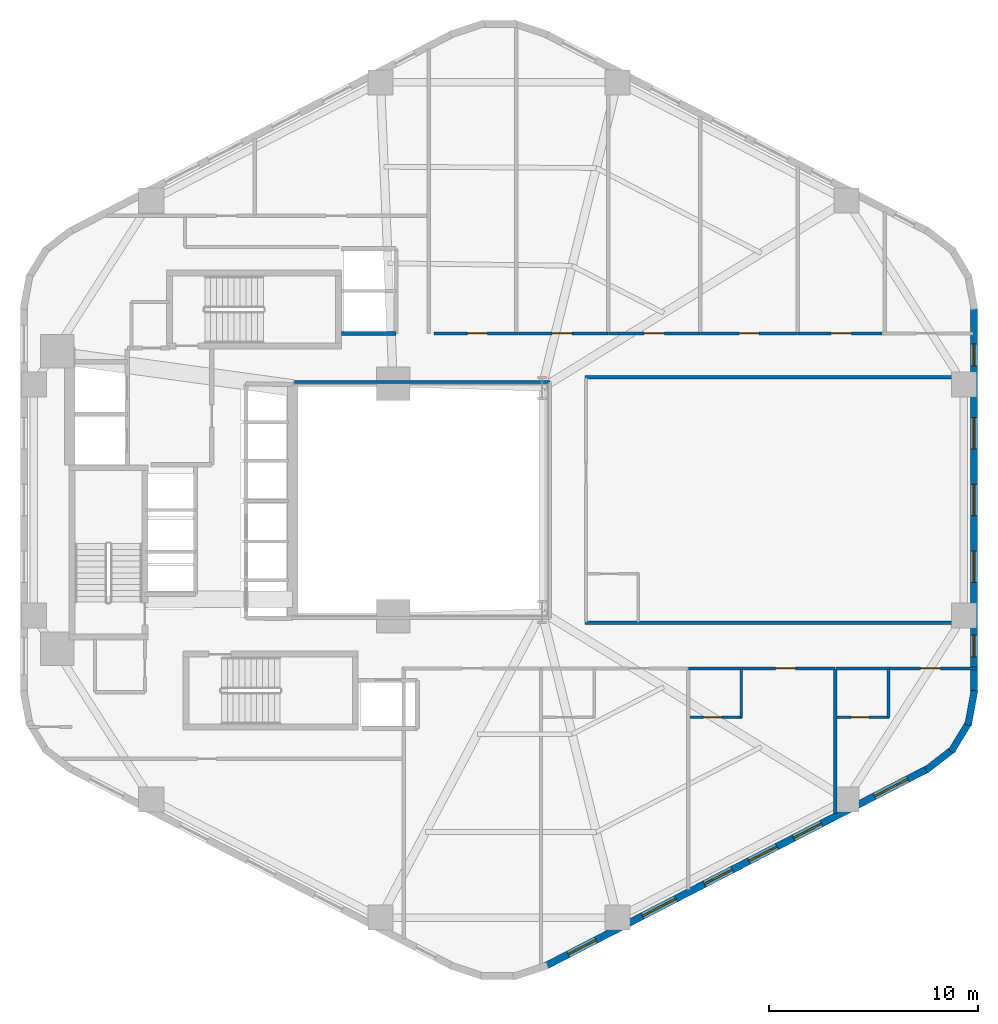
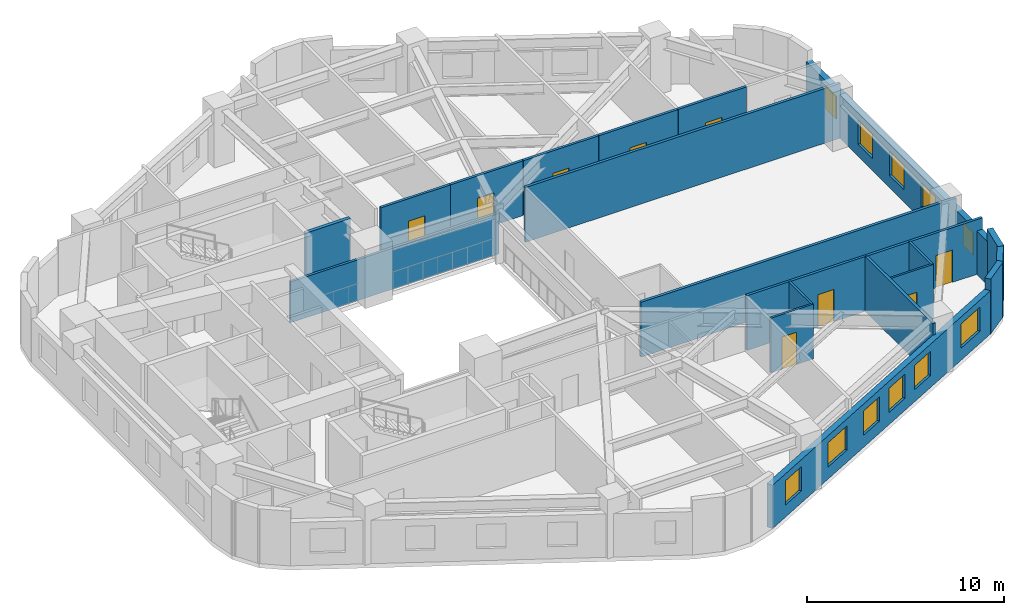
# One storey, part 4 of 7: 21 walls, 11 windows, 9 doors, 20 openings.
"""IFC4 building model written with IfcOpenShell, lengths in metres."""

from ifc_helpers import new_model, si_unit, direction, frame, frame_2d, origin, place, context, subcontext, project, spatial, rectangle, extrude, material, layer, layer_set, type_object, element, fill, save


model = new_model("IFC4")

# Units and contexts
model_context = context("Model", 3, precision=1e-05, world=origin(), true_north=direction((0.0, 1.0)))
body_context = subcontext(model_context, "Body", "Model", "MODEL_VIEW")
ifc_project = project(units=[si_unit("LENGTHUNIT", "METRE"), si_unit("AREAUNIT", "SQUARE_METRE"), si_unit("VOLUMEUNIT", "CUBIC_METRE"), si_unit("PLANEANGLEUNIT", "RADIAN"), si_unit("MASSUNIT", "GRAM", prefix="KILO"), si_unit("THERMODYNAMICTEMPERATUREUNIT", "KELVIN"), si_unit("POWERUNIT", "WATT")], contexts=[model_context])

# Site, building, storey
site_placement = place(None, origin())
site = spatial("IfcSite", under=ifc_project, at=site_placement, CompositionType="ELEMENT")
building_placement = place(site_placement, origin())
building = spatial("IfcBuilding", under=site, at=building_placement, Name="Skarre Station Tower", CompositionType="ELEMENT")
storey_placement = place(building_placement, frame((0.0, 0.0, 89.050048828125)))
storey = spatial("IfcBuildingStorey", under=building, at=storey_placement, Name="L23", CompositionType="ELEMENT", Elevation=89.050048828125)

# Wall
ifc_material_1 = material(Name="Acoustic Steel-Stud Gypsum Partition", Category="steel")
ifc_layer_1 = layer(ifc_material_1, 0.14990234375, Name="Acoustic Steel-Stud Gypsum Partition")
ifc_layer_set_1 = layer_set([ifc_layer_1], Name="Acoustic Steel-Stud Gypsum Partition")
wall_type_1 = type_object("IfcWallType", Name="Fire-Rated Corridor Acoustic Partition 150", PredefinedType="PARTITIONING", material=ifc_layer_set_1)
wall_1_placement = place(storey_placement, frame((39.840087890625, 29.639892578125, 0.0), z_axis=(0.0, 0.0, 1.0), x_axis=(-1.0, 0.0, 0.0)))
element("IfcWall", 1, at=wall_1_placement, inside=storey, type_object=wall_type_1, Name="L23 Interior Partition WL-PT-L23-ATRW-N", PredefinedType="PARTITIONING", context=body_context, shape_type="SweptSolid", body=[
    extrude(rectangle(XDim=12.2001953125, YDim=0.14990234375, at=frame_2d((6.10009765625, 0.0))), origin(), (0.0, 0.0, 1.0), 2.531005859375),
])

# Wall, opening, door
wall_2_placement = place(storey_placement, frame((38.341064453125, 31.9599609375, 0.0), z_axis=(0.0, 0.0, 1.0), x_axis=(-1.0, 0.0, 0.0)))
wall_2 = element("IfcWall", 2, at=wall_2_placement, inside=storey, type_object=wall_type_1, Name="L23 Interior Partition WL-PT-L23-NW1-CW", PredefinedType="PARTITIONING", context=body_context, shape_type="SweptSolid", body=[
    extrude(rectangle(XDim=4.051025390625, YDim=0.14990234375, at=frame_2d((2.025390625, 0.0))), origin(), (0.0, 0.0, 1.0), 3.389892578125),
])
opening_1_placement = place(wall_2_placement, frame((1.489013671875, 0.0, 0.0)))
opening_1 = element("IfcOpeningElement", 3, at=opening_1_placement, cuts=wall_2, Name="Opening DR-FD60", PredefinedType="OPENING", context=body_context, shape_type="SweptSolid", body=[
    extrude(rectangle(XDim=0.9599609375, YDim=2.0, at=frame_2d((0.47998046875, 1.0))), frame((0.0, 0.0849609375, 0.0), z_axis=(0.0, -1.0, 0.0), x_axis=(1.0, 0.0, 0.0)), (0.0, 0.0, 1.0), 0.169921875),
])
ifc_material_2 = material(Name="Nordic White-Oak Veneer Solid-Core Fire Leaf", Category="wood")
door_type_1 = type_object("IfcDoorType", Name="Corridor Suite Entry Fire Door FD60 960x2150", OperationType="SINGLE_SWING_LEFT", PredefinedType="DOOR", material=ifc_material_2)
door_1_placement = place(opening_1_placement, origin())
door_1 = element("IfcDoor", 4, at=door_1_placement, inside=storey, type_object=door_type_1, Name="L23 NW1 Entry Door", OperationType="SINGLE_SWING_LEFT", OverallHeight=2.0, OverallWidth=0.9599609375, PredefinedType="DOOR", context=body_context, shape_type="SweptSolid", body=[
    extrude(rectangle(XDim=0.9599609375, YDim=2.0, at=frame_2d((0.47998046875, 1.0))), frame((0.0, 0.02490234375, 0.0), z_axis=(0.0, -1.0, 0.0), x_axis=(1.0, 0.0, 0.0)), (0.0, 0.0, 1.0), 0.050048828125),
])
fill(opening_1, door_1)

wall_3_placement = place(storey_placement, frame((42.60498046875, 31.9599609375, 0.0), z_axis=(0.0, 0.0, 1.0), x_axis=(-1.0, 0.0, 0.0)))
wall_3 = element("IfcWall", 5, at=wall_3_placement, inside=storey, type_object=wall_type_1, Name="L23 Interior Partition WL-PT-L23-NW2-CW", PredefinedType="PARTITIONING", context=body_context, shape_type="SweptSolid", body=[
    extrude(rectangle(XDim=4.25390625, YDim=0.14990234375, at=frame_2d((2.126953125, 0.0))), origin(), (0.0, 0.0, 1.0), 3.389892578125),
])
opening_2_placement = place(wall_3_placement, frame((1.7041015625, 0.0, 0.0)))
opening_2 = element("IfcOpeningElement", 6, at=opening_2_placement, cuts=wall_3, Name="Opening DR-FD60", PredefinedType="OPENING", context=body_context, shape_type="SweptSolid", body=[
    extrude(rectangle(XDim=0.9599609375, YDim=2.0, at=frame_2d((0.47998046875, 1.0))), frame((0.0, 0.0849609375, 0.0), z_axis=(0.0, -1.0, 0.0), x_axis=(1.0, 0.0, 0.0)), (0.0, 0.0, 1.0), 0.169921875),
])
door_2_placement = place(opening_2_placement, origin())
door_2 = element("IfcDoor", 7, at=door_2_placement, inside=storey, type_object=door_type_1, Name="L23 NW2 Entry Door", OperationType="SINGLE_SWING_LEFT", OverallHeight=2.0, OverallWidth=0.9599609375, PredefinedType="DOOR", context=body_context, shape_type="SweptSolid", body=[
    extrude(rectangle(XDim=0.9599609375, YDim=2.0, at=frame_2d((0.47998046875, 1.0))), frame((0.0, 0.02490234375, 0.0), z_axis=(0.0, -1.0, 0.0), x_axis=(1.0, 0.0, 0.0)), (0.0, 0.0, 1.0), 0.050048828125),
])
fill(opening_2, door_2)

wall_4_placement = place(storey_placement, frame((47.006103515625, 31.9599609375, 0.0), z_axis=(0.0, 0.0, 1.0), x_axis=(-1.0, 0.0, 0.0)))
wall_4 = element("IfcWall", 8, at=wall_4_placement, inside=storey, type_object=wall_type_1, Name="L23 Interior Partition WL-PT-L23-NW3-CW", PredefinedType="PARTITIONING", context=body_context, shape_type="SweptSolid", body=[
    extrude(rectangle(XDim=4.369140625, YDim=0.14990234375, at=frame_2d((2.1845703125, 0.0))), origin(), (0.0, 0.0, 1.0), 3.389892578125),
])
opening_3_placement = place(wall_4_placement, frame((1.705078125, 0.0, 0.0)))
opening_3 = element("IfcOpeningElement", 9, at=opening_3_placement, cuts=wall_4, Name="Opening DR-FD60", PredefinedType="OPENING", context=body_context, shape_type="SweptSolid", body=[
    extrude(rectangle(XDim=0.9599609375, YDim=2.0, at=frame_2d((0.47998046875, 1.0))), frame((0.0, 0.0849609375, 0.0), z_axis=(0.0, -1.0, 0.0), x_axis=(1.0, 0.0, 0.0)), (0.0, 0.0, 1.0), 0.169921875),
])
door_3_placement = place(opening_3_placement, origin())
door_3 = element("IfcDoor", 10, at=door_3_placement, inside=storey, type_object=door_type_1, Name="L23 NW3 Entry Door", OperationType="SINGLE_SWING_LEFT", OverallHeight=2.0, OverallWidth=0.9599609375, PredefinedType="DOOR", context=body_context, shape_type="SweptSolid", body=[
    extrude(rectangle(XDim=0.9599609375, YDim=2.0, at=frame_2d((0.47998046875, 1.0))), frame((0.0, 0.02490234375, 0.0), z_axis=(0.0, -1.0, 0.0), x_axis=(1.0, 0.0, 0.0)), (0.0, 0.0, 1.0), 0.050048828125),
])
fill(opening_3, door_3)

wall_5_placement = place(storey_placement, frame((51.6640625, 31.9599609375, 0.0), z_axis=(0.0, 0.0, 1.0), x_axis=(-1.0, 0.0, 0.0)))
wall_5 = element("IfcWall", 11, at=wall_5_placement, inside=storey, type_object=wall_type_1, Name="L23 Interior Partition WL-PT-L23-NW4-CW", PredefinedType="PARTITIONING", context=body_context, shape_type="SweptSolid", body=[
    extrude(rectangle(XDim=4.6259765625, YDim=0.14990234375, at=frame_2d((2.31298828125, 0.0))), origin(), (0.0, 0.0, 1.0), 3.389892578125),
])
opening_4_placement = place(wall_5_placement, frame((1.8330078125, 0.0, 0.0)))
opening_4 = element("IfcOpeningElement", 12, at=opening_4_placement, cuts=wall_5, Name="Opening DR-FD60", PredefinedType="OPENING", context=body_context, shape_type="SweptSolid", body=[
    extrude(rectangle(XDim=0.9599609375, YDim=2.0, at=frame_2d((0.47998046875, 1.0))), frame((0.0, 0.0849609375, 0.0), z_axis=(0.0, -1.0, 0.0), x_axis=(1.0, 0.0, 0.0)), (0.0, 0.0, 1.0), 0.169921875),
])
door_4_placement = place(opening_4_placement, origin())
door_4 = element("IfcDoor", 13, at=door_4_placement, inside=storey, type_object=door_type_1, Name="L23 NW4 Entry Door", OperationType="SINGLE_SWING_LEFT", OverallHeight=2.0, OverallWidth=0.9599609375, PredefinedType="DOOR", context=body_context, shape_type="SweptSolid", body=[
    extrude(rectangle(XDim=0.9599609375, YDim=2.0, at=frame_2d((0.47998046875, 1.0))), frame((0.0, 0.02490234375, 0.0), z_axis=(0.0, -1.0, 0.0), x_axis=(1.0, 0.0, 0.0)), (0.0, 0.0, 1.0), 0.050048828125),
])
fill(opening_4, door_4)

wall_6_placement = place(storey_placement, frame((55.69189453125, 31.9599609375, 0.0), z_axis=(0.0, 0.0, 1.0), x_axis=(-1.0, 0.0, 0.0)))
wall_6 = element("IfcWall", 14, at=wall_6_placement, inside=storey, type_object=wall_type_1, Name="L23 Interior Partition WL-PT-L23-NW5-CW", PredefinedType="PARTITIONING", context=body_context, shape_type="SweptSolid", body=[
    extrude(rectangle(XDim=3.995849609375, YDim=0.14990234375, at=frame_2d((1.998046875, 0.0))), origin(), (0.0, 0.0, 1.0), 3.389892578125),
])
opening_5_placement = place(wall_6_placement, frame((1.4609375, 0.0, 0.0)))
opening_5 = element("IfcOpeningElement", 15, at=opening_5_placement, cuts=wall_6, Name="Opening DR-FD60", PredefinedType="OPENING", context=body_context, shape_type="SweptSolid", body=[
    extrude(rectangle(XDim=0.9599609375, YDim=2.0, at=frame_2d((0.47998046875, 1.0))), frame((0.0, 0.0849609375, 0.0), z_axis=(0.0, -1.0, 0.0), x_axis=(1.0, 0.0, 0.0)), (0.0, 0.0, 1.0), 0.169921875),
])
door_5_placement = place(opening_5_placement, origin())
door_5 = element("IfcDoor", 16, at=door_5_placement, inside=storey, type_object=door_type_1, Name="L23 NW5 Entry Door", OperationType="SINGLE_SWING_LEFT", OverallHeight=2.0, OverallWidth=0.9599609375, PredefinedType="DOOR", context=body_context, shape_type="SweptSolid", body=[
    extrude(rectangle(XDim=0.9599609375, YDim=2.0, at=frame_2d((0.47998046875, 1.0))), frame((0.0, 0.02490234375, 0.0), z_axis=(0.0, -1.0, 0.0), x_axis=(1.0, 0.0, 0.0)), (0.0, 0.0, 1.0), 0.050048828125),
])
fill(opening_5, door_5)

wall_7_placement = place(storey_placement, frame((46.4599609375, 15.9599609375, 0.0), z_axis=(0.0, 0.0, 1.0), x_axis=(1.0, 0.0, 0.0)))
wall_7 = element("IfcWall", 17, at=wall_7_placement, inside=storey, type_object=wall_type_1, Name="L23 Interior Partition WL-PT-L23-SW3-CW", PredefinedType="PARTITIONING", context=body_context, shape_type="SweptSolid", body=[
    extrude(rectangle(XDim=6.9951171875, YDim=0.14990234375, at=frame_2d((3.49755859375, 0.0))), origin(), (0.0, 0.0, 1.0), 3.389892578125),
])
opening_6_placement = place(wall_7_placement, frame((4.153076171875, 0.0, 0.0)))
opening_6 = element("IfcOpeningElement", 18, at=opening_6_placement, cuts=wall_7, Name="Opening DR-FD60", PredefinedType="OPENING", context=body_context, shape_type="SweptSolid", body=[
    extrude(rectangle(XDim=0.9599609375, YDim=2.0, at=frame_2d((0.47998046875, 1.0))), frame((0.0, 0.0849609375, 0.0), z_axis=(0.0, -1.0, 0.0), x_axis=(1.0, 0.0, 0.0)), (0.0, 0.0, 1.0), 0.169921875),
])
door_6_placement = place(opening_6_placement, origin())
door_6 = element("IfcDoor", 19, at=door_6_placement, inside=storey, type_object=door_type_1, Name="L23 SW3 Entry Door", OperationType="SINGLE_SWING_LEFT", OverallHeight=2.0, OverallWidth=0.9599609375, PredefinedType="DOOR", context=body_context, shape_type="SweptSolid", body=[
    extrude(rectangle(XDim=0.9599609375, YDim=2.0, at=frame_2d((0.47998046875, 1.0))), frame((0.0, 0.02490234375, 0.0), z_axis=(0.0, -1.0, 0.0), x_axis=(1.0, 0.0, 0.0)), (0.0, 0.0, 1.0), 0.050048828125),
])
fill(opening_6, door_6)

wall_8_placement = place(storey_placement, frame((53.490966796875, 15.9599609375, 0.0), z_axis=(0.0, 0.0, 1.0), x_axis=(1.0, 0.0, 0.0)))
wall_8 = element("IfcWall", 20, at=wall_8_placement, inside=storey, type_object=wall_type_1, Name="L23 Interior Partition WL-PT-L23-SW4-CW", PredefinedType="PARTITIONING", context=body_context, shape_type="SweptSolid", body=[
    extrude(rectangle(XDim=6.761962890625, YDim=0.14990234375, at=frame_2d((3.380859375, 0.0))), origin(), (0.0, 0.0, 1.0), 3.389892578125),
])
opening_7_placement = place(wall_8_placement, frame((4.050048828125, 0.0, 0.0)))
opening_7 = element("IfcOpeningElement", 21, at=opening_7_placement, cuts=wall_8, Name="Opening DR-FD60", PredefinedType="OPENING", context=body_context, shape_type="SweptSolid", body=[
    extrude(rectangle(XDim=0.9599609375, YDim=2.0, at=frame_2d((0.47998046875, 1.0))), frame((0.0, 0.0849609375, 0.0), z_axis=(0.0, -1.0, 0.0), x_axis=(1.0, 0.0, 0.0)), (0.0, 0.0, 1.0), 0.169921875),
])
door_7_placement = place(opening_7_placement, origin())
door_7 = element("IfcDoor", 22, at=door_7_placement, inside=storey, type_object=door_type_1, Name="L23 SW4 Entry Door", OperationType="SINGLE_SWING_LEFT", OverallHeight=2.0, OverallWidth=0.9599609375, PredefinedType="DOOR", context=body_context, shape_type="SweptSolid", body=[
    extrude(rectangle(XDim=0.9599609375, YDim=2.0, at=frame_2d((0.47998046875, 1.0))), frame((0.0, 0.02490234375, 0.0), z_axis=(0.0, -1.0, 0.0), x_axis=(1.0, 0.0, 0.0)), (0.0, 0.0, 1.0), 0.050048828125),
])
fill(opening_7, door_7)

ifc_material_3 = material(Name="Insulated Timber-Stud Gypsum Partition", Category="wood")
ifc_layer_2 = layer(ifc_material_3, 0.1201171875, Name="Insulated Timber-Stud Gypsum Partition")
ifc_layer_set_2 = layer_set([ifc_layer_2], Name="Insulated Timber-Stud Gypsum Partition")
wall_type_2 = type_object("IfcWallType", Name="Internal Suite Acoustic Partition 120", PredefinedType="PARTITIONING", material=ifc_layer_set_2)
wall_9_placement = place(storey_placement, frame((46.527099609375, 13.6201171875, 0.0), z_axis=(0.0, 0.0, 1.0), x_axis=(1.0, 0.0, 0.0)))
wall_9 = element("IfcWall", 23, at=wall_9_placement, inside=storey, type_object=wall_type_2, Name="L23 Interior Partition WL-PT-L23-SW3-SA1", PredefinedType="PARTITIONING", context=body_context, shape_type="SweptSolid", body=[
    extrude(rectangle(XDim=2.47998046875, YDim=0.1201171875, at=frame_2d((1.239990234375, 0.0))), origin(), (0.0, 0.0, 1.0), 3.389892578125),
])
opening_8_placement = place(wall_9_placement, frame((0.64990234375, 0.0, 0.0)))
opening_8 = element("IfcOpeningElement", 24, at=opening_8_placement, cuts=wall_9, Name="Opening DR-INT86", PredefinedType="OPENING", context=body_context, shape_type="SweptSolid", body=[
    extrude(rectangle(XDim=0.860107421875, YDim=2.0, at=frame_2d((0.43017578125, 1.0))), frame((0.0, 0.070068359375, 0.0), z_axis=(0.0, -1.0, 0.0), x_axis=(1.0, 0.0, 0.0)), (0.0, 0.0, 1.0), 0.14013671875),
])
ifc_material_4 = material(Name="Nordic Birch Acoustic Solid-Core Timber Leaf", Category="wood")
door_type_2 = type_object("IfcDoorType", Name="Internal En-Suite & Bedroom Door 860x2100", OperationType="SINGLE_SWING_LEFT", PredefinedType="DOOR", material=ifc_material_4)
door_8_placement = place(opening_8_placement, origin())
door_8 = element("IfcDoor", 25, at=door_8_placement, inside=storey, type_object=door_type_2, Name="L23 SW3 Alcove Store Door", OperationType="SINGLE_SWING_LEFT", OverallHeight=2.0, OverallWidth=0.860107421875, PredefinedType="DOOR", context=body_context, shape_type="SweptSolid", body=[
    extrude(rectangle(XDim=0.860107421875, YDim=2.0, at=frame_2d((0.43017578125, 1.0))), frame((0.0, 0.02490234375, 0.0), z_axis=(0.0, -1.0, 0.0), x_axis=(1.0, 0.0, 0.0)), (0.0, 0.0, 1.0), 0.050048828125),
])
fill(opening_8, door_8)

# Wall
wall_10_placement = place(storey_placement, frame((48.97705078125, 13.6201171875, 0.0), z_axis=(0.0, 0.0, 1.0), x_axis=(0.0, 1.0, 0.0)))
element("IfcWall", 26, at=wall_10_placement, inside=storey, type_object=wall_type_2, Name="L23 Interior Partition WL-PT-L23-SW3-SA2", PredefinedType="PARTITIONING", context=body_context, shape_type="SweptSolid", body=[
    extrude(rectangle(XDim=2.2998046875, YDim=0.1201171875, at=frame_2d((1.14990234375, 0.0))), origin(), (0.0, 0.0, 1.0), 3.389892578125),
])

# Wall, opening, door
wall_11_placement = place(storey_placement, frame((53.55810546875, 13.6201171875, 0.0), z_axis=(0.0, 0.0, 1.0), x_axis=(1.0, 0.0, 0.0)))
wall_11 = element("IfcWall", 27, at=wall_11_placement, inside=storey, type_object=wall_type_2, Name="L23 Interior Partition WL-PT-L23-SW4-SA1", PredefinedType="PARTITIONING", context=body_context, shape_type="SweptSolid", body=[
    extrude(rectangle(XDim=2.47998046875, YDim=0.1201171875, at=frame_2d((1.239990234375, 0.0))), origin(), (0.0, 0.0, 1.0), 3.389892578125),
])
opening_9_placement = place(wall_11_placement, frame((0.64990234375, 0.0, 0.0)))
opening_9 = element("IfcOpeningElement", 28, at=opening_9_placement, cuts=wall_11, Name="Opening DR-INT86", PredefinedType="OPENING", context=body_context, shape_type="SweptSolid", body=[
    extrude(rectangle(XDim=0.860107421875, YDim=2.0, at=frame_2d((0.43017578125, 1.0))), frame((0.0, 0.070068359375, 0.0), z_axis=(0.0, -1.0, 0.0), x_axis=(1.0, 0.0, 0.0)), (0.0, 0.0, 1.0), 0.14013671875),
])
door_9_placement = place(opening_9_placement, origin())
door_9 = element("IfcDoor", 29, at=door_9_placement, inside=storey, type_object=door_type_2, Name="L23 SW4 Alcove Store Door", OperationType="SINGLE_SWING_LEFT", OverallHeight=2.0, OverallWidth=0.860107421875, PredefinedType="DOOR", context=body_context, shape_type="SweptSolid", body=[
    extrude(rectangle(XDim=0.860107421875, YDim=2.0, at=frame_2d((0.43017578125, 1.0))), frame((0.0, 0.02490234375, 0.0), z_axis=(0.0, -1.0, 0.0), x_axis=(1.0, 0.0, 0.0)), (0.0, 0.0, 1.0), 0.050048828125),
])
fill(opening_9, door_9)

# Wall
wall_12_placement = place(storey_placement, frame((56.008056640625, 13.6201171875, 0.0), z_axis=(0.0, 0.0, 1.0), x_axis=(0.0, 1.0, 0.0)))
element("IfcWall", 30, at=wall_12_placement, inside=storey, type_object=wall_type_2, Name="L23 Interior Partition WL-PT-L23-SW4-SA2", PredefinedType="PARTITIONING", context=body_context, shape_type="SweptSolid", body=[
    extrude(rectangle(XDim=2.2998046875, YDim=0.1201171875, at=frame_2d((1.14990234375, 0.0))), origin(), (0.0, 0.0, 1.0), 3.389892578125),
])

# Wall, openings, windows
ifc_material_5 = material(Name="Precast concrete C45/55", Category="concrete")
ifc_layer_3 = layer(ifc_material_5, 0.340087890625, Name="Precast concrete C45/55")
ifc_layer_set_3 = layer_set([ifc_layer_3], Name="Precast concrete C45/55")
wall_type_3 = type_object("IfcWallType", Name="Nordic Honed Precast Facet Wall 340", PredefinedType="STANDARD", material=ifc_layer_set_3)
wall_13_placement = place(storey_placement, frame((57.8759765625, 11.158935546875, 0.0), z_axis=(0.0, 0.0, 1.0), x_axis=(-0.888634413993, -0.458616264721, 0.0)))
wall_13 = element("IfcWall", 31, at=wall_13_placement, inside=storey, type_object=wall_type_3, Name="L23 Facet 4 Nordic Precast Masonry Wall", PredefinedType="STANDARD", context=body_context, shape_type="SweptSolid", body=[
    extrude(rectangle(XDim=20.53125, YDim=0.340087890625, at=frame_2d((10.265625, 0.0))), origin(), (0.0, 0.0, 1.0), 2.683837890625),
])
opening_10_placement = place(wall_13_placement, frame((1.05810546875, 0.0, 0.75)))
opening_10 = element("IfcOpeningElement", 32, at=opening_10_placement, cuts=wall_13, Name="Opening WN-Z1A", PredefinedType="OPENING", context=body_context, shape_type="SweptSolid", body=[
    extrude(rectangle(XDim=1.800048828125, YDim=1.5, at=frame_2d((0.89990234375, 0.75))), frame((0.0, 0.179931640625, 0.0), z_axis=(0.0, -1.0, 0.0), x_axis=(1.0, 0.0, 0.0)), (0.0, 0.0, 1.0), 0.360107421875),
])
opening_11_placement = place(wall_13_placement, frame((5.702880859375, 0.0, 0.75)))
opening_11 = element("IfcOpeningElement", 33, at=opening_11_placement, cuts=wall_13, Name="Opening WN-Z1B", PredefinedType="OPENING", context=body_context, shape_type="SweptSolid", body=[
    extrude(rectangle(XDim=1.5, YDim=1.5, at=frame_2d((0.75, 0.75))), frame((0.0, 0.179931640625, 0.0), z_axis=(0.0, -1.0, 0.0), x_axis=(1.0, 0.0, 0.0)), (0.0, 0.0, 1.0), 0.360107421875),
])
opening_12_placement = place(wall_13_placement, frame((8.09912109375, 0.0, 0.75)))
opening_12 = element("IfcOpeningElement", 34, at=opening_12_placement, cuts=wall_13, Name="Opening WN-Z1B", PredefinedType="OPENING", context=body_context, shape_type="SweptSolid", body=[
    extrude(rectangle(XDim=1.5, YDim=1.5, at=frame_2d((0.75, 0.75))), frame((0.0, 0.179931640625, 0.0), z_axis=(0.0, -1.0, 0.0), x_axis=(1.0, 0.0, 0.0)), (0.0, 0.0, 1.0), 0.360107421875),
])
opening_13_placement = place(wall_13_placement, frame((10.4951171875, 0.0, 0.75)))
opening_13 = element("IfcOpeningElement", 35, at=opening_13_placement, cuts=wall_13, Name="Opening WN-Z1B", PredefinedType="OPENING", context=body_context, shape_type="SweptSolid", body=[
    extrude(rectangle(XDim=1.5, YDim=1.5, at=frame_2d((0.75, 0.75))), frame((0.0, 0.179931640625, 0.0), z_axis=(0.0, -1.0, 0.0), x_axis=(1.0, 0.0, 0.0)), (0.0, 0.0, 1.0), 0.360107421875),
])
opening_14_placement = place(wall_13_placement, frame((13.52587890625, 0.0, 0.75)))
opening_14 = element("IfcOpeningElement", 36, at=opening_14_placement, cuts=wall_13, Name="Opening WN-Z1A", PredefinedType="OPENING", context=body_context, shape_type="SweptSolid", body=[
    extrude(rectangle(XDim=1.800048828125, YDim=1.5, at=frame_2d((0.89990234375, 0.75))), frame((0.0, 0.179931640625, 0.0), z_axis=(0.0, -1.0, 0.0), x_axis=(1.0, 0.0, 0.0)), (0.0, 0.0, 1.0), 0.360107421875),
])
opening_15_placement = place(wall_13_placement, frame((17.822998046875, 0.0, 0.75)))
opening_15 = element("IfcOpeningElement", 37, at=opening_15_placement, cuts=wall_13, Name="Opening WN-Z1B", PredefinedType="OPENING", context=body_context, shape_type="SweptSolid", body=[
    extrude(rectangle(XDim=1.5, YDim=1.5, at=frame_2d((0.75, 0.75))), frame((0.0, 0.179931640625, 0.0), z_axis=(0.0, -1.0, 0.0), x_axis=(1.0, 0.0, 0.0)), (0.0, 0.0, 1.0), 0.360107421875),
])
ifc_material_6 = material(Name="Low-Iron Triple Glazing with Bronze Anodized Frame", Category="glass")
window_type_1 = type_object("IfcWindowType", Name="Nordic Punched Triple-Glazed Window 1500x1500", PartitioningType="SINGLE_PANEL", PredefinedType="WINDOW", material=ifc_material_6)
window_1_placement = place(opening_11_placement, origin())
window_1 = element("IfcWindow", 38, at=window_1_placement, inside=storey, type_object=window_type_1, Name="L23 Facade Window WL-FAC-L23-F4-2", OverallHeight=1.5, OverallWidth=1.5, PartitioningType="SINGLE_PANEL", PredefinedType="WINDOW", context=body_context, shape_type="SweptSolid", body=[
    extrude(rectangle(XDim=1.5, YDim=1.5, at=frame_2d((0.75, 0.75))), frame((0.0, 0.030029296875, 0.0), z_axis=(0.0, -1.0, 0.0), x_axis=(1.0, 0.0, 0.0)), (0.0, 0.0, 1.0), 0.06005859375),
])
fill(opening_11, window_1)
window_2_placement = place(opening_12_placement, origin())
window_2 = element("IfcWindow", 39, at=window_2_placement, inside=storey, type_object=window_type_1, Name="L23 Facade Window WL-FAC-L23-F4-3", OverallHeight=1.5, OverallWidth=1.5, PartitioningType="SINGLE_PANEL", PredefinedType="WINDOW", context=body_context, shape_type="SweptSolid", body=[
    extrude(rectangle(XDim=1.5, YDim=1.5, at=frame_2d((0.75, 0.75))), frame((0.0, 0.030029296875, 0.0), z_axis=(0.0, -1.0, 0.0), x_axis=(1.0, 0.0, 0.0)), (0.0, 0.0, 1.0), 0.06005859375),
])
fill(opening_12, window_2)
window_3_placement = place(opening_13_placement, origin())
window_3 = element("IfcWindow", 40, at=window_3_placement, inside=storey, type_object=window_type_1, Name="L23 Facade Window WL-FAC-L23-F4-4", OverallHeight=1.5, OverallWidth=1.5, PartitioningType="SINGLE_PANEL", PredefinedType="WINDOW", context=body_context, shape_type="SweptSolid", body=[
    extrude(rectangle(XDim=1.5, YDim=1.5, at=frame_2d((0.75, 0.75))), frame((0.0, 0.030029296875, 0.0), z_axis=(0.0, -1.0, 0.0), x_axis=(1.0, 0.0, 0.0)), (0.0, 0.0, 1.0), 0.06005859375),
])
fill(opening_13, window_3)
window_4_placement = place(opening_15_placement, origin())
window_4 = element("IfcWindow", 41, at=window_4_placement, inside=storey, type_object=window_type_1, Name="L23 Facade Window WL-FAC-L23-F4-6", OverallHeight=1.5, OverallWidth=1.5, PartitioningType="SINGLE_PANEL", PredefinedType="WINDOW", context=body_context, shape_type="SweptSolid", body=[
    extrude(rectangle(XDim=1.5, YDim=1.5, at=frame_2d((0.75, 0.75))), frame((0.0, 0.030029296875, 0.0), z_axis=(0.0, -1.0, 0.0), x_axis=(1.0, 0.0, 0.0)), (0.0, 0.0, 1.0), 0.06005859375),
])
fill(opening_15, window_4)
window_type_2 = type_object("IfcWindowType", Name="Nordic Punched Triple-Glazed Window 1800x1500", PartitioningType="SINGLE_PANEL", PredefinedType="WINDOW", material=ifc_material_6)
window_5_placement = place(opening_10_placement, origin())
window_5 = element("IfcWindow", 42, at=window_5_placement, inside=storey, type_object=window_type_2, Name="L23 Facade Window WL-FAC-L23-F4-1", OverallHeight=1.5, OverallWidth=1.800048828125, PartitioningType="SINGLE_PANEL", PredefinedType="WINDOW", context=body_context, shape_type="SweptSolid", body=[
    extrude(rectangle(XDim=1.800048828125, YDim=1.5, at=frame_2d((0.89990234375, 0.75))), frame((0.0, 0.030029296875, 0.0), z_axis=(0.0, -1.0, 0.0), x_axis=(1.0, 0.0, 0.0)), (0.0, 0.0, 1.0), 0.06005859375),
])
fill(opening_10, window_5)
window_6_placement = place(opening_14_placement, origin())
window_6 = element("IfcWindow", 43, at=window_6_placement, inside=storey, type_object=window_type_2, Name="L23 Facade Window WL-FAC-L23-F4-5", OverallHeight=1.5, OverallWidth=1.800048828125, PartitioningType="SINGLE_PANEL", PredefinedType="WINDOW", context=body_context, shape_type="SweptSolid", body=[
    extrude(rectangle(XDim=1.800048828125, YDim=1.5, at=frame_2d((0.89990234375, 0.75))), frame((0.0, 0.030029296875, 0.0), z_axis=(0.0, -1.0, 0.0), x_axis=(1.0, 0.0, 0.0)), (0.0, 0.0, 1.0), 0.06005859375),
])
fill(opening_14, window_6)

wall_14_placement = place(storey_placement, frame((60.093017578125, 33.201904296875, 0.0), z_axis=(0.0, 0.0, 1.0), x_axis=(0.0, -1.0, 0.0)))
wall_14 = element("IfcWall", 44, at=wall_14_placement, inside=storey, type_object=wall_type_3, Name="L23 Facet 5 Nordic Precast Masonry Wall", PredefinedType="STANDARD", context=body_context, shape_type="SweptSolid", body=[
    extrude(rectangle(XDim=18.40380859375, YDim=0.340087890625, at=frame_2d((9.201904296875, 0.0))), origin(), (0.0, 0.0, 1.0), 2.683837890625),
])
opening_16_placement = place(wall_14_placement, frame((1.743896484375, 0.0, 0.75)))
opening_16 = element("IfcOpeningElement", 45, at=opening_16_placement, cuts=wall_14, Name="Opening WN-SLT", PredefinedType="OPENING", context=body_context, shape_type="SweptSolid", body=[
    extrude(rectangle(XDim=1.050048828125, YDim=1.39990234375, at=frame_2d((0.52490234375, 0.699951171875))), frame((0.0, 0.179931640625, 0.0), z_axis=(0.0, -1.0, 0.0), x_axis=(1.0, 0.0, 0.0)), (0.0, 0.0, 1.0), 0.360107421875),
])
opening_17_placement = place(wall_14_placement, frame((5.264892578125, 0.0, 0.75)))
opening_17 = element("IfcOpeningElement", 46, at=opening_17_placement, cuts=wall_14, Name="Opening WN-Z1B", PredefinedType="OPENING", context=body_context, shape_type="SweptSolid", body=[
    extrude(rectangle(XDim=1.5, YDim=1.5, at=frame_2d((0.75, 0.75))), frame((0.0, 0.179931640625, 0.0), z_axis=(0.0, -1.0, 0.0), x_axis=(1.0, 0.0, 0.0)), (0.0, 0.0, 1.0), 0.360107421875),
])
opening_18_placement = place(wall_14_placement, frame((8.451904296875, 0.0, 0.75)))
opening_18 = element("IfcOpeningElement", 47, at=opening_18_placement, cuts=wall_14, Name="Opening WN-Z1B", PredefinedType="OPENING", context=body_context, shape_type="SweptSolid", body=[
    extrude(rectangle(XDim=1.5, YDim=1.5, at=frame_2d((0.75, 0.75))), frame((0.0, 0.179931640625, 0.0), z_axis=(0.0, -1.0, 0.0), x_axis=(1.0, 0.0, 0.0)), (0.0, 0.0, 1.0), 0.360107421875),
])
opening_19_placement = place(wall_14_placement, frame((11.638916015625, 0.0, 0.75)))
opening_19 = element("IfcOpeningElement", 48, at=opening_19_placement, cuts=wall_14, Name="Opening WN-Z1B", PredefinedType="OPENING", context=body_context, shape_type="SweptSolid", body=[
    extrude(rectangle(XDim=1.5, YDim=1.5, at=frame_2d((0.75, 0.75))), frame((0.0, 0.179931640625, 0.0), z_axis=(0.0, -1.0, 0.0), x_axis=(1.0, 0.0, 0.0)), (0.0, 0.0, 1.0), 0.360107421875),
])
opening_20_placement = place(wall_14_placement, frame((15.64990234375, 0.0, 0.75)))
opening_20 = element("IfcOpeningElement", 49, at=opening_20_placement, cuts=wall_14, Name="Opening WN-SLT", PredefinedType="OPENING", context=body_context, shape_type="SweptSolid", body=[
    extrude(rectangle(XDim=1.050048828125, YDim=1.39990234375, at=frame_2d((0.52490234375, 0.699951171875))), frame((0.0, 0.179931640625, 0.0), z_axis=(0.0, -1.0, 0.0), x_axis=(1.0, 0.0, 0.0)), (0.0, 0.0, 1.0), 0.360107421875),
])
window_type_3 = type_object("IfcWindowType", Name="Nordic Corner Slot Window 1050x1400", PartitioningType="SINGLE_PANEL", PredefinedType="WINDOW", material=ifc_material_6)
window_7_placement = place(opening_16_placement, origin())
window_7 = element("IfcWindow", 50, at=window_7_placement, inside=storey, type_object=window_type_3, Name="L23 Facade Window WL-FAC-L23-F5-1", OverallHeight=1.39990234375, OverallWidth=1.050048828125, PartitioningType="SINGLE_PANEL", PredefinedType="WINDOW", context=body_context, shape_type="SweptSolid", body=[
    extrude(rectangle(XDim=1.050048828125, YDim=1.39990234375, at=frame_2d((0.52490234375, 0.699951171875))), frame((0.0, 0.030029296875, 0.0), z_axis=(0.0, -1.0, 0.0), x_axis=(1.0, 0.0, 0.0)), (0.0, 0.0, 1.0), 0.06005859375),
])
fill(opening_16, window_7)
window_8_placement = place(opening_20_placement, origin())
window_8 = element("IfcWindow", 51, at=window_8_placement, inside=storey, type_object=window_type_3, Name="L23 Facade Window WL-FAC-L23-F5-5", OverallHeight=1.39990234375, OverallWidth=1.050048828125, PartitioningType="SINGLE_PANEL", PredefinedType="WINDOW", context=body_context, shape_type="SweptSolid", body=[
    extrude(rectangle(XDim=1.050048828125, YDim=1.39990234375, at=frame_2d((0.52490234375, 0.699951171875))), frame((0.0, 0.030029296875, 0.0), z_axis=(0.0, -1.0, 0.0), x_axis=(1.0, 0.0, 0.0)), (0.0, 0.0, 1.0), 0.06005859375),
])
fill(opening_20, window_8)
window_9_placement = place(opening_17_placement, origin())
window_9 = element("IfcWindow", 52, at=window_9_placement, inside=storey, type_object=window_type_1, Name="L23 Facade Window WL-FAC-L23-F5-2", OverallHeight=1.5, OverallWidth=1.5, PartitioningType="SINGLE_PANEL", PredefinedType="WINDOW", context=body_context, shape_type="SweptSolid", body=[
    extrude(rectangle(XDim=1.5, YDim=1.5, at=frame_2d((0.75, 0.75))), frame((0.0, 0.030029296875, 0.0), z_axis=(0.0, -1.0, 0.0), x_axis=(1.0, 0.0, 0.0)), (0.0, 0.0, 1.0), 0.06005859375),
])
fill(opening_17, window_9)
window_10_placement = place(opening_18_placement, origin())
window_10 = element("IfcWindow", 53, at=window_10_placement, inside=storey, type_object=window_type_1, Name="L23 Facade Window WL-FAC-L23-F5-3", OverallHeight=1.5, OverallWidth=1.5, PartitioningType="SINGLE_PANEL", PredefinedType="WINDOW", context=body_context, shape_type="SweptSolid", body=[
    extrude(rectangle(XDim=1.5, YDim=1.5, at=frame_2d((0.75, 0.75))), frame((0.0, 0.030029296875, 0.0), z_axis=(0.0, -1.0, 0.0), x_axis=(1.0, 0.0, 0.0)), (0.0, 0.0, 1.0), 0.06005859375),
])
fill(opening_18, window_10)
window_11_placement = place(opening_19_placement, origin())
window_11 = element("IfcWindow", 54, at=window_11_placement, inside=storey, type_object=window_type_1, Name="L23 Facade Window WL-FAC-L23-F5-4", OverallHeight=1.5, OverallWidth=1.5, PartitioningType="SINGLE_PANEL", PredefinedType="WINDOW", context=body_context, shape_type="SweptSolid", body=[
    extrude(rectangle(XDim=1.5, YDim=1.5, at=frame_2d((0.75, 0.75))), frame((0.0, 0.030029296875, 0.0), z_axis=(0.0, -1.0, 0.0), x_axis=(1.0, 0.0, 0.0)), (0.0, 0.0, 1.0), 0.06005859375),
])
fill(opening_19, window_11)

# Walls
ifc_layer_4 = layer(ifc_material_5, 0.330078125, Name="Precast concrete C45/55")
ifc_layer_set_4 = layer_set([ifc_layer_4], Name="Precast concrete C45/55")
wall_type_4 = type_object("IfcWallType", Name="Nordic Rounded Corner Precast Wall 330", PredefinedType="STANDARD", material=ifc_layer_set_4)
wall_15_placement = place(storey_placement, frame((60.113037109375, 14.89208984375, 0.0), z_axis=(0.0, 0.0, 1.0), x_axis=(-0.181714143354, -0.983351397063, 0.0)))
element("IfcWall", 55, at=wall_15_placement, inside=storey, type_object=wall_type_4, Name="L23 Rounded Corner Precast Wall F5-1", PredefinedType="STANDARD", context=body_context, shape_type="SweptSolid", body=[
    extrude(rectangle(XDim=1.677978515625, YDim=0.330078125, at=frame_2d((0.8388671875, 0.0))), origin(), (0.0, 0.0, 1.0), 3.389892578125),
])
wall_16_placement = place(storey_placement, frame((59.875, 13.4169921875, 0.0), z_axis=(0.0, 0.0, 1.0), x_axis=(-0.520584129191, -0.853810379671, 0.0)))
element("IfcWall", 56, at=wall_16_placement, inside=storey, type_object=wall_type_4, Name="L23 Rounded Corner Precast Wall F5-2", PredefinedType="STANDARD", context=body_context, shape_type="SweptSolid", body=[
    extrude(rectangle(XDim=1.677001953125, YDim=0.330078125, at=frame_2d((0.83837890625, 0.0))), origin(), (0.0, 0.0, 1.0), 3.389892578125),
])
wall_17_placement = place(storey_placement, frame((59.126953125, 12.125, 0.0), z_axis=(0.0, 0.0, 1.0), x_axis=(-0.790691856293, -0.61221433207, 0.0)))
element("IfcWall", 57, at=wall_17_placement, inside=storey, type_object=wall_type_4, Name="L23 Rounded Corner Precast Wall F5-3", PredefinedType="STANDARD", context=body_context, shape_type="SweptSolid", body=[
    extrude(rectangle(XDim=1.67578125, YDim=0.330078125, at=frame_2d((0.837890625, 0.0))), origin(), (0.0, 0.0, 1.0), 3.389892578125),
])
ifc_material_7 = material(Name="Gypsum Concrete Shaft Assembly C30/37", Category="concrete")
ifc_layer_5 = layer(ifc_material_7, 0.199951171875, Name="Gypsum Concrete Shaft Assembly C30/37")
ifc_layer_set_5 = layer_set([ifc_layer_5], Name="Gypsum Concrete Shaft Assembly C30/37")
wall_type_5 = type_object("IfcWallType", Name="Shaft & Core Fire Partition 200", PredefinedType="PARTITIONING", material=ifc_layer_set_5)
wall_18_placement = place(storey_placement, frame((32.47998046875, 31.949951171875, 0.0), z_axis=(0.0, 0.0, 1.0), x_axis=(-1.0, 0.0, 0.0)))
element("IfcWall", 58, at=wall_18_placement, inside=storey, type_object=wall_type_5, Name="L23 Interior Partition WL-PT-L23-EX-S", PredefinedType="PARTITIONING", context=body_context, shape_type="SweptSolid", body=[
    extrude(rectangle(XDim=2.60009765625, YDim=0.199951171875, at=frame_2d((1.300048828125, 0.0))), origin(), (0.0, 0.0, 1.0), 3.389892578125),
])
ifc_layer_6 = layer(ifc_material_1, 0.1650390625, Name="Acoustic Steel-Stud Gypsum Partition")
ifc_layer_set_6 = layer_set([ifc_layer_6], Name="Acoustic Steel-Stud Gypsum Partition")
wall_type_6 = type_object("IfcWallType", Name="Suite Demising Acoustic Partition 165", PredefinedType="PARTITIONING", material=ifc_layer_set_6)
for number, where, z_axis, x_axis, name in (
    (59, (41.52001953125, 18.139892578125, 0.0), (0.0, 0.0, 1.0), (1.0, 0.0, 0.0), "L23 Interior Partition WL-PT-L23-EWB-S"),
    (60, (41.52001953125, 29.860107421875, 0.0), (0.0, 0.0, 1.0), (1.0, 0.0, 0.0), "L23 Interior Partition WL-PT-L23-EWB-N"),
):
    element("IfcWall", number, at=place(storey_placement, frame(where, z_axis=z_axis, x_axis=x_axis)), inside=storey, type_object=wall_type_6, Name=name, PredefinedType="PARTITIONING", context=body_context, shape_type="SweptSolid", body=[
        extrude(rectangle(XDim=18.452880859375, YDim=0.1650390625, at=frame_2d((9.2265625, 0.0))), origin(), (0.0, 0.0, 1.0), 3.389892578125),
    ])
wall_19_placement = place(storey_placement, frame((53.472900390625, 9.02197265625, 0.0), z_axis=(0.0, 0.0, 1.0), x_axis=(0.0, 1.0, 0.0)))
element("IfcWall", 61, at=wall_19_placement, inside=storey, type_object=wall_type_6, Name="L23 Interior Partition WL-PT-L23-SW-P3", PredefinedType="PARTITIONING", context=body_context, shape_type="SweptSolid", body=[
    extrude(rectangle(XDim=6.907958984375, YDim=0.1650390625, at=frame_2d((3.4541015625, 0.0))), origin(), (0.0, 0.0, 1.0), 3.389892578125),
])

save(model, "model.ifc")
